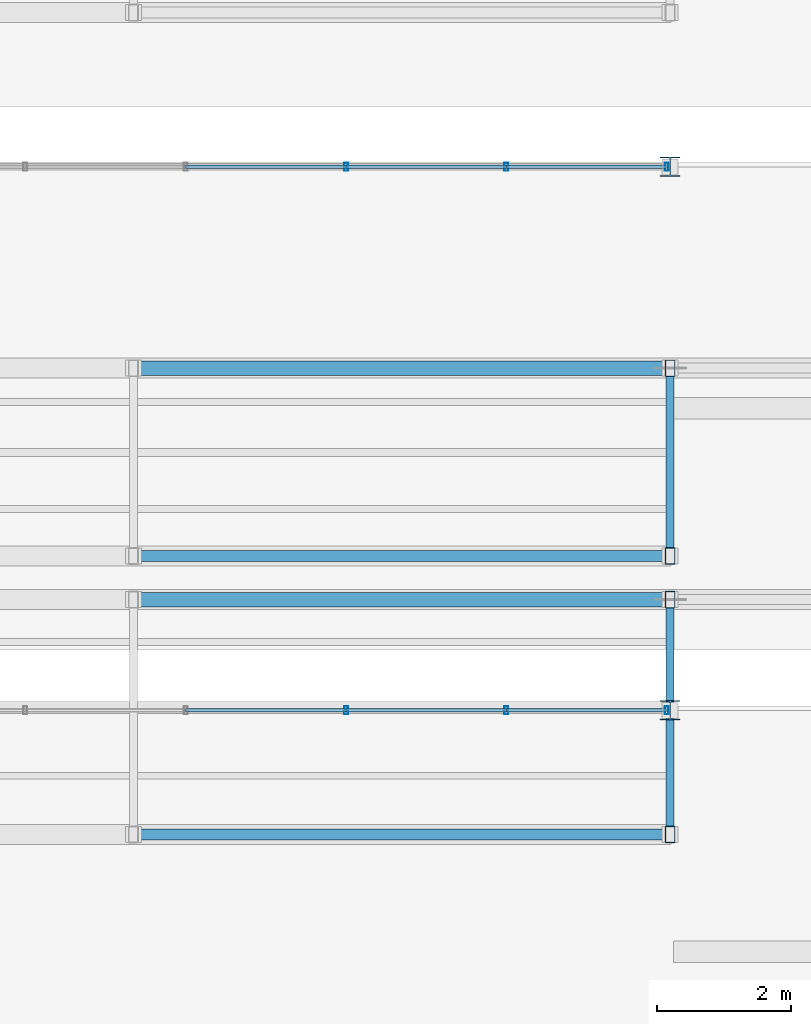
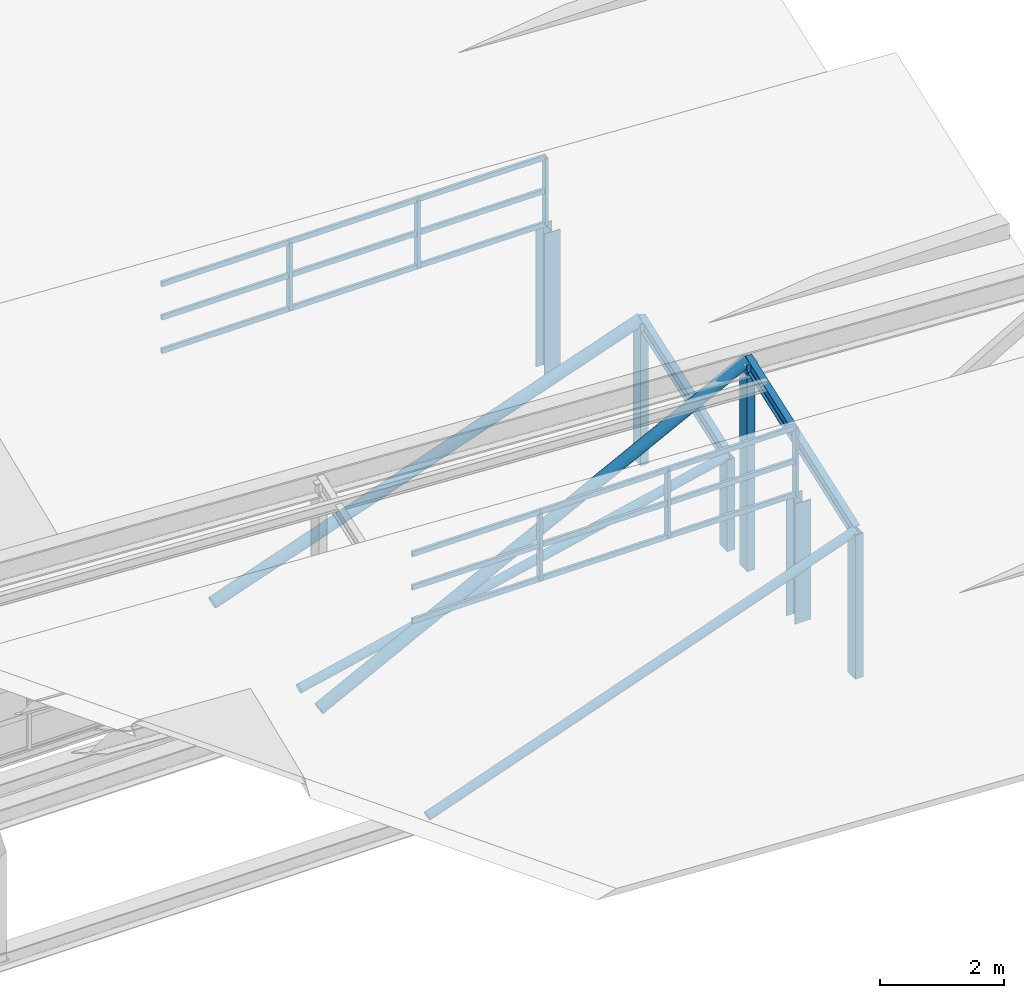
# One storey, part 58 of 141: 36 members, 2 elements without a shape of their own.
"""IFC4 building model written with IfcOpenShell, lengths in metres."""

from ifc_helpers import new_model, si_unit, direction, frame, origin, origin_2d, place, context, subcontext, project, spatial, hollow_rectangle, hollow_circle, i_section, extrude, material, material_profile, profile_set, type_object, element, aggregate, save


model = new_model("IFC4")

# Units and contexts
model_context = context("Model", 3, precision=1e-05, world=origin(), true_north=direction((0.0, 1.0)))
body_context = subcontext(model_context, "Body", "Model", "MODEL_VIEW")
ifc_project = project(units=[si_unit("LENGTHUNIT", "METRE"), si_unit("AREAUNIT", "SQUARE_METRE"), si_unit("VOLUMEUNIT", "CUBIC_METRE"), si_unit("PLANEANGLEUNIT", "RADIAN"), si_unit("MASSUNIT", "GRAM", prefix="KILO")], contexts=[model_context])

# Site, building, storey
site_placement = place(None, origin())
site = spatial("IfcSite", under=ifc_project, at=site_placement, CompositionType="ELEMENT")
building_placement = place(site_placement, origin())
building = spatial("IfcBuilding", under=site, at=building_placement, Name="Sundkrona Museum", CompositionType="ELEMENT")
storey_placement = place(building_placement, frame((0.0, 0.0, 34.0)))
storey = spatial("IfcBuildingStorey", under=building, at=storey_placement, Name="RF", CompositionType="ELEMENT", Elevation=34.0)

# Members
ifc_material_1 = material(Name="Steel S355J2", Category="steel")
ifc_material_profile_1 = material_profile(ifc_material_1, i_section(OverallWidth=0.300048828125, OverallDepth=0.2900390625, WebThickness=0.008544921875, FlangeThickness=0.013916015625, FilletRadius=0.027099609375, at=origin_2d()), Name="HEA 300")
ifc_profile_set_1 = profile_set([ifc_material_profile_1], Name="Steel S355J2")
member_type_1 = type_object("IfcMemberType", Name="BR-HEA300", PredefinedType="BRACE", material=ifc_profile_set_1)
member_1_placement = place(storey_placement, frame((168.0, 2.199951171875, -0.25), z_axis=(0.0, 0.0, 1.0), x_axis=(1.0, 0.0, 0.0)))
element("IfcMember", 1, at=member_1_placement, inside=storey, type_object=member_type_1, Name="RFS-1 Sawtooth Bay 1 Clerestory Corner Post E", PredefinedType="BRACE", context=body_context, shape_type="SweptSolid", body=[
    extrude(i_section(OverallWidth=0.300048828125, OverallDepth=0.2900390625, WebThickness=0.008544921875, FlangeThickness=0.013916015625, FilletRadius=0.027099609375, at=origin_2d()), origin(), (0.0, 0.0, 1.0), 2.373046875),
])
member_2_placement = place(storey_placement, frame((168.0, 10.300048828125, -0.25), z_axis=(0.0, 0.0, 1.0), x_axis=(1.0, 0.0, 0.0)))
element("IfcMember", 2, at=member_2_placement, inside=storey, type_object=member_type_1, Name="RFS-1 Sawtooth Bay 2 Clerestory Corner Post E", PredefinedType="BRACE", context=body_context, shape_type="SweptSolid", body=[
    extrude(i_section(OverallWidth=0.300048828125, OverallDepth=0.2900390625, WebThickness=0.008544921875, FlangeThickness=0.013916015625, FilletRadius=0.027099609375, at=origin_2d()), origin(), (0.0, 0.0, 1.0), 2.79296875),
])

# Curtain wall, members
ifc_material_2 = material(Name="Unitised Aluminium-Steel and Ceramic-Clad Curtain Walling", Category="steel")
curtain_wall_type = type_object("IfcCurtainWallType", Name="CW-SW-240x13", PredefinedType="NOTDEFINED", material=ifc_material_2)
curtain_wall_1_placement = place(storey_placement, origin())
curtain_wall_1 = element("IfcCurtainWall", 3, at=curtain_wall_1_placement, inside=storey, type_object=curtain_wall_type, Name="Sawtooth Bay 1 East North-Light Clerestory", PredefinedType="NOTDEFINED")
ifc_material_3 = material(Name="Aluminium EN AW-6060 T66", Category="aluminium")
ifc_material_profile_2 = material_profile(ifc_material_3, hollow_rectangle(XDim=0.06005859375, YDim=0.1201171875, WallThickness=0.0048828125, at=origin_2d()), Name="RHS 120x60x5.0")
ifc_profile_set_2 = profile_set([ifc_material_profile_2], Name="Aluminium EN AW-6060 T66")
member_type_2 = type_object("IfcMemberType", Name="ML-120", PredefinedType="MULLION", material=ifc_profile_set_2)
member_3_placement = place(storey_placement, frame((163.169921875, 2.199951171875, 2.212890625), z_axis=(0.0, 0.0, 1.0), x_axis=(1.0, 0.0, 0.0)))
member_3 = element("IfcMember", 4, at=member_3_placement, type_object=member_type_2, Name="CW-RF-SAW-01E Mullion 09", PredefinedType="MULLION", context=body_context, shape_type="SweptSolid", body=[
    extrude(hollow_rectangle(XDim=0.06005859375, YDim=0.1201171875, WallThickness=0.0048828125, at=origin_2d()), origin(), (0.0, 0.0, 1.0), 1.320068359375),
])
member_4_placement = place(storey_placement, frame((165.56005859375, 2.199951171875, 2.212890625), z_axis=(0.0, 0.0, 1.0), x_axis=(1.0, 0.0, 0.0)))
member_4 = element("IfcMember", 5, at=member_4_placement, type_object=member_type_2, Name="CW-RF-SAW-01E Mullion 10", PredefinedType="MULLION", context=body_context, shape_type="SweptSolid", body=[
    extrude(hollow_rectangle(XDim=0.06005859375, YDim=0.1201171875, WallThickness=0.0048828125, at=origin_2d()), origin(), (0.0, 0.0, 1.0), 1.320068359375),
])
member_5_placement = place(storey_placement, frame((167.949951171875, 2.199951171875, 2.212890625), z_axis=(0.0, 0.0, 1.0), x_axis=(1.0, 0.0, 0.0)))
member_5 = element("IfcMember", 6, at=member_5_placement, type_object=member_type_2, Name="CW-RF-SAW-01E Mullion 11", PredefinedType="MULLION", context=body_context, shape_type="SweptSolid", body=[
    extrude(hollow_rectangle(XDim=0.06005859375, YDim=0.1201171875, WallThickness=0.0048828125, at=origin_2d()), origin(), (0.0, 0.0, 1.0), 1.320068359375),
])

curtain_wall_2_placement = place(storey_placement, origin())
curtain_wall_2 = element("IfcCurtainWall", 7, at=curtain_wall_2_placement, inside=storey, type_object=curtain_wall_type, Name="Sawtooth Bay 2 East North-Light Clerestory", PredefinedType="NOTDEFINED")
member_6_placement = place(storey_placement, frame((163.169921875, 10.300048828125, 2.633056640625), z_axis=(0.0, 0.0, 1.0), x_axis=(1.0, 0.0, 0.0)))
member_6 = element("IfcMember", 8, at=member_6_placement, type_object=member_type_2, Name="CW-RF-SAW-02E Mullion 09", PredefinedType="MULLION", context=body_context, shape_type="SweptSolid", body=[
    extrude(hollow_rectangle(XDim=0.06005859375, YDim=0.1201171875, WallThickness=0.0048828125, at=origin_2d()), origin(), (0.0, 0.0, 1.0), 1.31982421875),
])
member_7_placement = place(storey_placement, frame((165.56005859375, 10.300048828125, 2.633056640625), z_axis=(0.0, 0.0, 1.0), x_axis=(1.0, 0.0, 0.0)))
member_7 = element("IfcMember", 9, at=member_7_placement, type_object=member_type_2, Name="CW-RF-SAW-02E Mullion 10", PredefinedType="MULLION", context=body_context, shape_type="SweptSolid", body=[
    extrude(hollow_rectangle(XDim=0.06005859375, YDim=0.1201171875, WallThickness=0.0048828125, at=origin_2d()), origin(), (0.0, 0.0, 1.0), 1.31982421875),
])
member_8_placement = place(storey_placement, frame((167.949951171875, 10.300048828125, 2.633056640625), z_axis=(0.0, 0.0, 1.0), x_axis=(1.0, 0.0, 0.0)))
member_8 = element("IfcMember", 10, at=member_8_placement, type_object=member_type_2, Name="CW-RF-SAW-02E Mullion 11", PredefinedType="MULLION", context=body_context, shape_type="SweptSolid", body=[
    extrude(hollow_rectangle(XDim=0.06005859375, YDim=0.1201171875, WallThickness=0.0048828125, at=origin_2d()), origin(), (0.0, 0.0, 1.0), 1.31982421875),
])

# Members
ifc_material_profile_3 = material_profile(ifc_material_1, i_section(OverallWidth=0.1201171875, OverallDepth=0.239990234375, WebThickness=0.006103515625, FlangeThickness=0.009765625, FilletRadius=0.014892578125, at=origin_2d()), Name="IPE 240")
ifc_profile_set_3 = profile_set([ifc_material_profile_3], Name="Steel S355J2")
member_type_3 = type_object("IfcMemberType", Name="PR-IPE240", PredefinedType="PURLIN", material=ifc_profile_set_3)
member_9_placement = place(storey_placement, frame((168.0, 0.35009765625, 2.5908203125), z_axis=(0.0, 0.941908281706, 0.335870196434), x_axis=(-1.0, 0.0, 0.0)))
element("IfcMember", 11, at=member_9_placement, inside=storey, type_object=member_type_3, Name="RFS-1 Sawtooth Bay 1 Transverse Rafter 7", PredefinedType="PURLIN", context=body_context, shape_type="SweptSolid", body=[
    extrude(i_section(OverallWidth=0.1201171875, OverallDepth=0.239990234375, WebThickness=0.006103515625, FlangeThickness=0.009765625, FilletRadius=0.014892578125, at=origin_2d()), origin(), (0.0, 0.0, 1.0), 3.7158203125),
])
member_10_placement = place(storey_placement, frame((168.0, 4.5, 1.556884765625), z_axis=(0.0, 0.942729033287, 0.333559544605), x_axis=(-1.0, 0.0, 0.0)))
element("IfcMember", 12, at=member_10_placement, inside=storey, type_object=member_type_3, Name="RFS-1 Sawtooth Bay 2 Transverse Rafter 7", PredefinedType="PURLIN", context=body_context, shape_type="SweptSolid", body=[
    extrude(i_section(OverallWidth=0.1201171875, OverallDepth=0.239990234375, WebThickness=0.006103515625, FlangeThickness=0.009765625, FilletRadius=0.014892578125, at=origin_2d()), origin(), (0.0, 0.0, 1.0), 2.97021484375),
])
ifc_material_profile_4 = material_profile(ifc_material_1, hollow_circle(Radius=0.084228515625, WallThickness=0.008056640625, at=origin_2d()), Name="CHS 168.3x8.0")
ifc_profile_set_4 = profile_set([ifc_material_profile_4], Name="Steel S355J2")
member_type_4 = type_object("IfcMemberType", Name="ST-CHS168", PredefinedType="STRUT", material=ifc_profile_set_4)
member_11_placement = place(storey_placement, frame((160.0, 0.35009765625, -0.25), z_axis=(0.942349365422, 0.0, 0.334630652345), x_axis=(0.0, 1.0, 0.0)))
element("IfcMember", 13, at=member_11_placement, inside=storey, type_object=member_type_4, Name="RFS-1 Sawtooth Valley Truss 1 Web Strut 6", PredefinedType="STRUT", context=body_context, shape_type="SweptSolid", body=[
    extrude(hollow_circle(Radius=0.084228515625, WallThickness=0.008056640625, at=origin_2d()), origin(), (0.0, 0.0, 1.0), 8.489501953125),
])
member_12_placement = place(storey_placement, frame((160.0, 4.5, -0.25), z_axis=(0.97542965366, 0.0, 0.220311122642), x_axis=(0.0, 1.0, 0.0)))
element("IfcMember", 14, at=member_12_placement, inside=storey, type_object=member_type_4, Name="RFS-1 Sawtooth Valley Truss 2 Web Strut 6", PredefinedType="STRUT", context=body_context, shape_type="SweptSolid", body=[
    extrude(hollow_circle(Radius=0.084228515625, WallThickness=0.008056640625, at=origin_2d()), origin(), (0.0, 0.0, 1.0), 8.201416015625),
])
ifc_material_profile_5 = material_profile(ifc_material_1, hollow_circle(Radius=0.109619140625, WallThickness=0.010009765625, at=origin_2d()), Name="CHS 219.1x10.0")
ifc_profile_set_5 = profile_set([ifc_material_profile_5], Name="Steel S355J2")
member_type_5 = type_object("IfcMemberType", Name="ST-CHS219", PredefinedType="STRUT", material=ifc_profile_set_5)
member_13_placement = place(storey_placement, frame((160.0, 3.85009765625, -0.25), z_axis=(0.890435661052, 0.0, 0.455109144632), x_axis=(0.0, 1.0, 0.0)))
element("IfcMember", 15, at=member_13_placement, inside=storey, type_object=member_type_5, Name="RFS-1 Sawtooth Truss 1 Web Strut 6", PredefinedType="STRUT", context=body_context, shape_type="SweptSolid", body=[
    extrude(hollow_circle(Radius=0.109619140625, WallThickness=0.010009765625, at=origin_2d()), origin(), (0.0, 0.0, 1.0), 8.984375),
])
member_14_placement = place(storey_placement, frame((160.0, 7.300048828125, -0.25), z_axis=(0.943946347679, 0.0, 0.330098913515), x_axis=(0.0, 1.0, 0.0)))
element("IfcMember", 16, at=member_14_placement, inside=storey, type_object=member_type_5, Name="RFS-1 Sawtooth Truss 2 Web Strut 6", PredefinedType="STRUT", context=body_context, shape_type="SweptSolid", body=[
    extrude(hollow_circle(Radius=0.109619140625, WallThickness=0.010009765625, at=origin_2d()), origin(), (0.0, 0.0, 1.0), 8.47509765625),
])
ifc_material_profile_6 = material_profile(ifc_material_1, hollow_rectangle(XDim=0.14990234375, YDim=0.25, WallThickness=0.010009765625, at=origin_2d()), Name="RHS 250x150x10.0")
ifc_profile_set_6 = profile_set([ifc_material_profile_6], Name="Steel S355J2")
member_type_6 = type_object("IfcMemberType", Name="ST-RHS250", PredefinedType="STRUT", material=ifc_profile_set_6)
member_15_placement = place(storey_placement, frame((168.0, 3.85009765625, -0.25), z_axis=(0.0, 0.0, 1.0), x_axis=(1.0, 0.0, 0.0)))
element("IfcMember", 17, at=member_15_placement, inside=storey, type_object=member_type_6, Name="RFS-1 Sawtooth Truss 1 Vertical Post 7", PredefinedType="STRUT", context=body_context, shape_type="SweptSolid", body=[
    extrude(hollow_rectangle(XDim=0.14990234375, YDim=0.25, WallThickness=0.010009765625, at=origin_2d()), origin(), (0.0, 0.0, 1.0), 4.0888671875),
])
member_16_placement = place(storey_placement, frame((168.0, 0.35009765625, -0.25), z_axis=(0.0, 0.0, 1.0), x_axis=(1.0, 0.0, 0.0)))
element("IfcMember", 18, at=member_16_placement, inside=storey, type_object=member_type_6, Name="RFS-1 Sawtooth Bay 1 Valley Post 7", PredefinedType="STRUT", context=body_context, shape_type="SweptSolid", body=[
    extrude(hollow_rectangle(XDim=0.14990234375, YDim=0.25, WallThickness=0.010009765625, at=origin_2d()), origin(), (0.0, 0.0, 1.0), 2.8408203125),
])
member_17_placement = place(storey_placement, frame((168.0, 7.300048828125, -0.25), z_axis=(0.0, 0.0, 1.0), x_axis=(1.0, 0.0, 0.0)))
element("IfcMember", 19, at=member_17_placement, inside=storey, type_object=member_type_6, Name="RFS-1 Sawtooth Truss 2 Vertical Post 7", PredefinedType="STRUT", context=body_context, shape_type="SweptSolid", body=[
    extrude(hollow_rectangle(XDim=0.14990234375, YDim=0.25, WallThickness=0.010009765625, at=origin_2d()), origin(), (0.0, 0.0, 1.0), 2.797607421875),
])
member_18_placement = place(storey_placement, frame((168.0, 4.5, -0.25), z_axis=(0.0, 0.0, 1.0), x_axis=(1.0, 0.0, 0.0)))
element("IfcMember", 20, at=member_18_placement, inside=storey, type_object=member_type_6, Name="RFS-1 Sawtooth Bay 2 Valley Post 7", PredefinedType="STRUT", context=body_context, shape_type="SweptSolid", body=[
    extrude(hollow_rectangle(XDim=0.14990234375, YDim=0.25, WallThickness=0.010009765625, at=origin_2d()), origin(), (0.0, 0.0, 1.0), 1.806884765625),
])

# Member
ifc_material_profile_7 = material_profile(ifc_material_3, hollow_rectangle(XDim=0.050048828125, YDim=0.10009765625, WallThickness=0.0048828125, at=origin_2d()), Name="RHS 100x50x5.0")
ifc_profile_set_7 = profile_set([ifc_material_profile_7], Name="Aluminium EN AW-6060 T66")
member_type_7 = type_object("IfcMemberType", Name="TR-100", PredefinedType="USERDEFINED", material=ifc_profile_set_7)
member_19_placement = place(storey_placement, frame((160.780029296875, 2.199951171875, 2.212890625), z_axis=(1.0, 0.0, 0.0), x_axis=(0.0, 1.0, 0.0)))
member_19 = element("IfcMember", 21, at=member_19_placement, type_object=member_type_7, Name="CW-RF-SAW-01E Transom 22", ObjectType="TRANSOM", PredefinedType="USERDEFINED", context=body_context, shape_type="SweptSolid", body=[
    extrude(hollow_rectangle(XDim=0.050048828125, YDim=0.10009765625, WallThickness=0.0048828125, at=origin_2d()), origin(), (0.0, 0.0, 1.0), 2.389892578125),
])

member_20_placement = place(storey_placement, frame((160.780029296875, 2.199951171875, 2.873046875), z_axis=(1.0, 0.0, 0.0), x_axis=(0.0, 1.0, 0.0)))
member_20 = element("IfcMember", 22, at=member_20_placement, type_object=member_type_7, Name="CW-RF-SAW-01E Transom 23", ObjectType="TRANSOM", PredefinedType="USERDEFINED", context=body_context, shape_type="SweptSolid", body=[
    extrude(hollow_rectangle(XDim=0.050048828125, YDim=0.10009765625, WallThickness=0.0048828125, at=origin_2d()), origin(), (0.0, 0.0, 1.0), 2.389892578125),
])

member_21_placement = place(storey_placement, frame((160.780029296875, 2.199951171875, 3.532958984375), z_axis=(1.0, 0.0, 0.0), x_axis=(0.0, 1.0, 0.0)))
member_21 = element("IfcMember", 23, at=member_21_placement, type_object=member_type_7, Name="CW-RF-SAW-01E Transom 24", ObjectType="TRANSOM", PredefinedType="USERDEFINED", context=body_context, shape_type="SweptSolid", body=[
    extrude(hollow_rectangle(XDim=0.050048828125, YDim=0.10009765625, WallThickness=0.0048828125, at=origin_2d()), origin(), (0.0, 0.0, 1.0), 2.389892578125),
])

member_22_placement = place(storey_placement, frame((163.169921875, 2.199951171875, 2.212890625), z_axis=(1.0, 0.0, 0.0), x_axis=(0.0, 1.0, 0.0)))
member_22 = element("IfcMember", 24, at=member_22_placement, type_object=member_type_7, Name="CW-RF-SAW-01E Transom 25", ObjectType="TRANSOM", PredefinedType="USERDEFINED", context=body_context, shape_type="SweptSolid", body=[
    extrude(hollow_rectangle(XDim=0.050048828125, YDim=0.10009765625, WallThickness=0.0048828125, at=origin_2d()), origin(), (0.0, 0.0, 1.0), 2.39013671875),
])

member_23_placement = place(storey_placement, frame((163.169921875, 2.199951171875, 2.873046875), z_axis=(1.0, 0.0, 0.0), x_axis=(0.0, 1.0, 0.0)))
member_23 = element("IfcMember", 25, at=member_23_placement, type_object=member_type_7, Name="CW-RF-SAW-01E Transom 26", ObjectType="TRANSOM", PredefinedType="USERDEFINED", context=body_context, shape_type="SweptSolid", body=[
    extrude(hollow_rectangle(XDim=0.050048828125, YDim=0.10009765625, WallThickness=0.0048828125, at=origin_2d()), origin(), (0.0, 0.0, 1.0), 2.39013671875),
])

member_24_placement = place(storey_placement, frame((163.169921875, 2.199951171875, 3.532958984375), z_axis=(1.0, 0.0, 0.0), x_axis=(0.0, 1.0, 0.0)))
member_24 = element("IfcMember", 26, at=member_24_placement, type_object=member_type_7, Name="CW-RF-SAW-01E Transom 27", ObjectType="TRANSOM", PredefinedType="USERDEFINED", context=body_context, shape_type="SweptSolid", body=[
    extrude(hollow_rectangle(XDim=0.050048828125, YDim=0.10009765625, WallThickness=0.0048828125, at=origin_2d()), origin(), (0.0, 0.0, 1.0), 2.39013671875),
])

member_25_placement = place(storey_placement, frame((165.56005859375, 2.199951171875, 2.212890625), z_axis=(1.0, 0.0, 0.0), x_axis=(0.0, 1.0, 0.0)))
member_25 = element("IfcMember", 27, at=member_25_placement, type_object=member_type_7, Name="CW-RF-SAW-01E Transom 28", ObjectType="TRANSOM", PredefinedType="USERDEFINED", context=body_context, shape_type="SweptSolid", body=[
    extrude(hollow_rectangle(XDim=0.050048828125, YDim=0.10009765625, WallThickness=0.0048828125, at=origin_2d()), origin(), (0.0, 0.0, 1.0), 2.389892578125),
])

member_26_placement = place(storey_placement, frame((165.56005859375, 2.199951171875, 2.873046875), z_axis=(1.0, 0.0, 0.0), x_axis=(0.0, 1.0, 0.0)))
member_26 = element("IfcMember", 28, at=member_26_placement, type_object=member_type_7, Name="CW-RF-SAW-01E Transom 29", ObjectType="TRANSOM", PredefinedType="USERDEFINED", context=body_context, shape_type="SweptSolid", body=[
    extrude(hollow_rectangle(XDim=0.050048828125, YDim=0.10009765625, WallThickness=0.0048828125, at=origin_2d()), origin(), (0.0, 0.0, 1.0), 2.389892578125),
])

member_27_placement = place(storey_placement, frame((165.56005859375, 2.199951171875, 3.532958984375), z_axis=(1.0, 0.0, 0.0), x_axis=(0.0, 1.0, 0.0)))
member_27 = element("IfcMember", 29, at=member_27_placement, type_object=member_type_7, Name="CW-RF-SAW-01E Transom 30", ObjectType="TRANSOM", PredefinedType="USERDEFINED", context=body_context, shape_type="SweptSolid", body=[
    extrude(hollow_rectangle(XDim=0.050048828125, YDim=0.10009765625, WallThickness=0.0048828125, at=origin_2d()), origin(), (0.0, 0.0, 1.0), 2.389892578125),
])

aggregate(curtain_wall_1, [member_3, member_4, member_5, member_19, member_20, member_21, member_22, member_23, member_24, member_25, member_26, member_27])

member_28_placement = place(storey_placement, frame((160.780029296875, 10.300048828125, 2.633056640625), z_axis=(1.0, 0.0, 0.0), x_axis=(0.0, 1.0, 0.0)))
member_28 = element("IfcMember", 30, at=member_28_placement, type_object=member_type_7, Name="CW-RF-SAW-02E Transom 22", ObjectType="TRANSOM", PredefinedType="USERDEFINED", context=body_context, shape_type="SweptSolid", body=[
    extrude(hollow_rectangle(XDim=0.050048828125, YDim=0.10009765625, WallThickness=0.0048828125, at=origin_2d()), origin(), (0.0, 0.0, 1.0), 2.389892578125),
])

member_29_placement = place(storey_placement, frame((160.780029296875, 10.300048828125, 3.29296875), z_axis=(1.0, 0.0, 0.0), x_axis=(0.0, 1.0, 0.0)))
member_29 = element("IfcMember", 31, at=member_29_placement, type_object=member_type_7, Name="CW-RF-SAW-02E Transom 23", ObjectType="TRANSOM", PredefinedType="USERDEFINED", context=body_context, shape_type="SweptSolid", body=[
    extrude(hollow_rectangle(XDim=0.050048828125, YDim=0.10009765625, WallThickness=0.0048828125, at=origin_2d()), origin(), (0.0, 0.0, 1.0), 2.389892578125),
])

member_30_placement = place(storey_placement, frame((160.780029296875, 10.300048828125, 3.952880859375), z_axis=(1.0, 0.0, 0.0), x_axis=(0.0, 1.0, 0.0)))
member_30 = element("IfcMember", 32, at=member_30_placement, type_object=member_type_7, Name="CW-RF-SAW-02E Transom 24", ObjectType="TRANSOM", PredefinedType="USERDEFINED", context=body_context, shape_type="SweptSolid", body=[
    extrude(hollow_rectangle(XDim=0.050048828125, YDim=0.10009765625, WallThickness=0.0048828125, at=origin_2d()), origin(), (0.0, 0.0, 1.0), 2.389892578125),
])

member_31_placement = place(storey_placement, frame((163.169921875, 10.300048828125, 2.633056640625), z_axis=(1.0, 0.0, 0.0), x_axis=(0.0, 1.0, 0.0)))
member_31 = element("IfcMember", 33, at=member_31_placement, type_object=member_type_7, Name="CW-RF-SAW-02E Transom 25", ObjectType="TRANSOM", PredefinedType="USERDEFINED", context=body_context, shape_type="SweptSolid", body=[
    extrude(hollow_rectangle(XDim=0.050048828125, YDim=0.10009765625, WallThickness=0.0048828125, at=origin_2d()), origin(), (0.0, 0.0, 1.0), 2.39013671875),
])

member_32_placement = place(storey_placement, frame((163.169921875, 10.300048828125, 3.29296875), z_axis=(1.0, 0.0, 0.0), x_axis=(0.0, 1.0, 0.0)))
member_32 = element("IfcMember", 34, at=member_32_placement, type_object=member_type_7, Name="CW-RF-SAW-02E Transom 26", ObjectType="TRANSOM", PredefinedType="USERDEFINED", context=body_context, shape_type="SweptSolid", body=[
    extrude(hollow_rectangle(XDim=0.050048828125, YDim=0.10009765625, WallThickness=0.0048828125, at=origin_2d()), origin(), (0.0, 0.0, 1.0), 2.39013671875),
])

member_33_placement = place(storey_placement, frame((163.169921875, 10.300048828125, 3.952880859375), z_axis=(1.0, 0.0, 0.0), x_axis=(0.0, 1.0, 0.0)))
member_33 = element("IfcMember", 35, at=member_33_placement, type_object=member_type_7, Name="CW-RF-SAW-02E Transom 27", ObjectType="TRANSOM", PredefinedType="USERDEFINED", context=body_context, shape_type="SweptSolid", body=[
    extrude(hollow_rectangle(XDim=0.050048828125, YDim=0.10009765625, WallThickness=0.0048828125, at=origin_2d()), origin(), (0.0, 0.0, 1.0), 2.39013671875),
])

member_34_placement = place(storey_placement, frame((165.56005859375, 10.300048828125, 2.633056640625), z_axis=(1.0, 0.0, 0.0), x_axis=(0.0, 1.0, 0.0)))
member_34 = element("IfcMember", 36, at=member_34_placement, type_object=member_type_7, Name="CW-RF-SAW-02E Transom 28", ObjectType="TRANSOM", PredefinedType="USERDEFINED", context=body_context, shape_type="SweptSolid", body=[
    extrude(hollow_rectangle(XDim=0.050048828125, YDim=0.10009765625, WallThickness=0.0048828125, at=origin_2d()), origin(), (0.0, 0.0, 1.0), 2.389892578125),
])

member_35_placement = place(storey_placement, frame((165.56005859375, 10.300048828125, 3.29296875), z_axis=(1.0, 0.0, 0.0), x_axis=(0.0, 1.0, 0.0)))
member_35 = element("IfcMember", 37, at=member_35_placement, type_object=member_type_7, Name="CW-RF-SAW-02E Transom 29", ObjectType="TRANSOM", PredefinedType="USERDEFINED", context=body_context, shape_type="SweptSolid", body=[
    extrude(hollow_rectangle(XDim=0.050048828125, YDim=0.10009765625, WallThickness=0.0048828125, at=origin_2d()), origin(), (0.0, 0.0, 1.0), 2.389892578125),
])

member_36_placement = place(storey_placement, frame((165.56005859375, 10.300048828125, 3.952880859375), z_axis=(1.0, 0.0, 0.0), x_axis=(0.0, 1.0, 0.0)))
member_36 = element("IfcMember", 38, at=member_36_placement, type_object=member_type_7, Name="CW-RF-SAW-02E Transom 30", ObjectType="TRANSOM", PredefinedType="USERDEFINED", context=body_context, shape_type="SweptSolid", body=[
    extrude(hollow_rectangle(XDim=0.050048828125, YDim=0.10009765625, WallThickness=0.0048828125, at=origin_2d()), origin(), (0.0, 0.0, 1.0), 2.389892578125),
])

aggregate(curtain_wall_2, [member_6, member_7, member_8, member_28, member_29, member_30, member_31, member_32, member_33, member_34, member_35, member_36])

save(model, "model.ifc")
